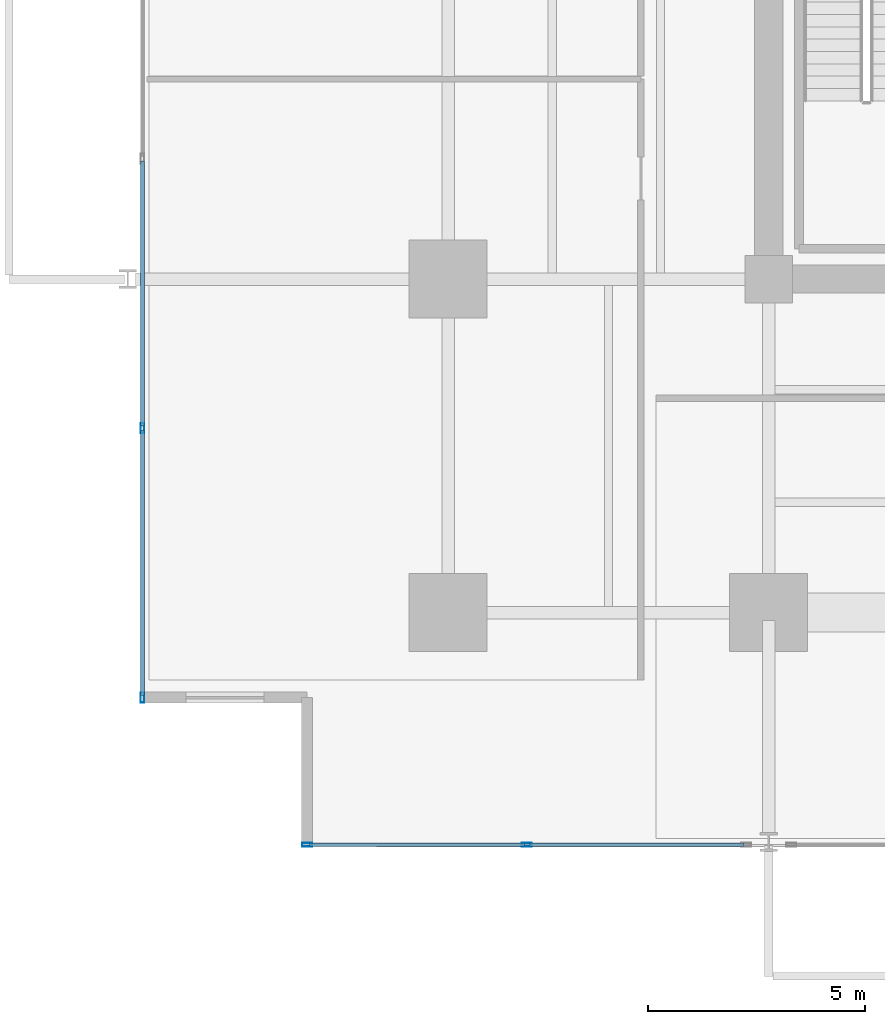
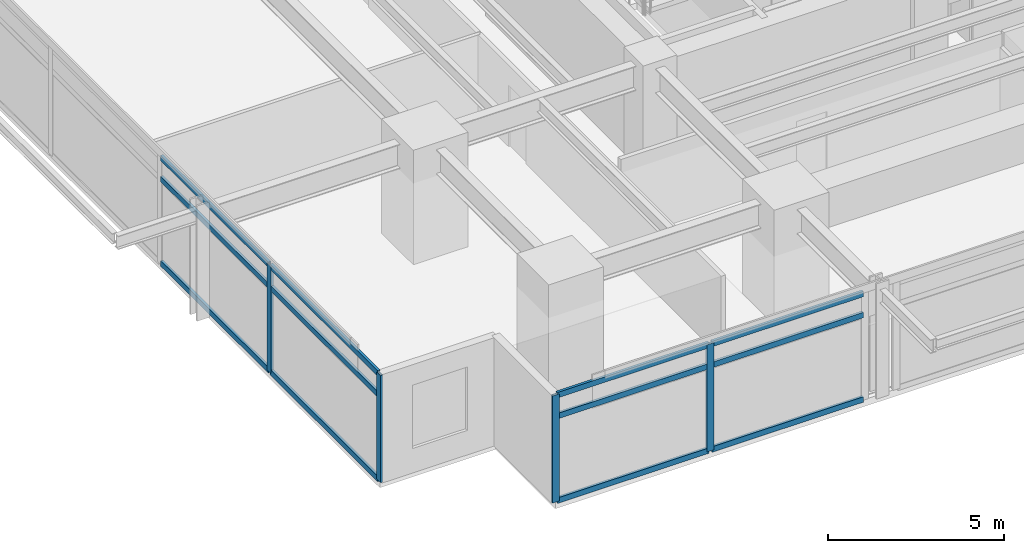
# One storey, part 2 of 21: 16 members, 2 elements without a shape of their own.
"""IFC4 building model written with IfcOpenShell, lengths in metres."""

from ifc_helpers import new_model, si_unit, direction, frame, origin, origin_2d, place, context, subcontext, project, spatial, hollow_rectangle, extrude, material, material_profile, profile_set, type_object, element, aggregate, save


model = new_model("IFC4")

# Units and contexts
model_context = context("Model", 3, precision=1e-05, world=origin(), true_north=direction((0.0, 1.0)))
body_context = subcontext(model_context, "Body", "Model", "MODEL_VIEW")
ifc_project = project(units=[si_unit("LENGTHUNIT", "METRE"), si_unit("AREAUNIT", "SQUARE_METRE"), si_unit("VOLUMEUNIT", "CUBIC_METRE"), si_unit("PLANEANGLEUNIT", "RADIAN"), si_unit("MASSUNIT", "GRAM", prefix="KILO")], contexts=[model_context])

# Site, building, storey
site_placement = place(None, origin())
site = spatial("IfcSite", under=ifc_project, at=site_placement, CompositionType="ELEMENT")
building_placement = place(site_placement, origin())
building = spatial("IfcBuilding", under=site, at=building_placement, Name="Kovane Verandah Tower", CompositionType="ELEMENT")
storey_placement = place(building_placement, frame((0.0, 0.0, 47.60009765625)))
storey = spatial("IfcBuildingStorey", under=building, at=storey_placement, Name="L10", CompositionType="ELEMENT", Elevation=47.60009765625)

# Curtain wall, members
ifc_material_1 = material(Name="Champagne Anodised Aluminium Frame with Low-E Clear Laminated Glass", Category="aluminium")
curtain_wall_type = type_object("IfcCurtainWallType", Name="CW-SYS-02-LOW", PredefinedType="NOTDEFINED", material=ifc_material_1)
curtain_wall_1_placement = place(storey_placement, origin())
curtain_wall_1 = element("IfcCurtainWall", 1, at=curtain_wall_1_placement, inside=storey, type_object=curtain_wall_type, Name="L10 S Unitised Curtain Wall-1", PredefinedType="NOTDEFINED")
ifc_material_2 = material(Name="Champagne Anodised Aluminium 6063-T6", Category="aluminium")
ifc_material_profile_1 = material_profile(ifc_material_2, hollow_rectangle(XDim=0.0849609375, YDim=0.22998046875, WallThickness=0.00390625, at=origin_2d()), Name="AL85x230x4")
ifc_profile_set_1 = profile_set([ifc_material_profile_1], Name="Champagne Anodised Aluminium 6063-T6")
member_type_1 = type_object("IfcMemberType", Name="CW-MUL-85x230", PredefinedType="MULLION", material=ifc_profile_set_1)
member_1_placement = place(storey_placement, frame((18.341064453125, 5.438720703125, 0.02001953125), z_axis=(0.0, 0.0, 1.0), x_axis=(0.0, -1.0, 0.0)))
member_1 = element("IfcMember", 2, at=member_1_placement, type_object=member_type_1, Name="L10 S Unitised Curtain Wall-1 Mullion 1", PredefinedType="MULLION", context=body_context, shape_type="SweptSolid", body=[
    extrude(hollow_rectangle(XDim=0.0849609375, YDim=0.22998046875, WallThickness=0.00390625, at=origin_2d()), origin(), (0.0, 0.0, 1.0), 3.719970703125),
])
member_2_placement = place(storey_placement, frame((23.410400390625, 5.438720703125, 0.02001953125), z_axis=(0.0, 0.0, 1.0), x_axis=(0.0, -1.0, 0.0)))
member_2 = element("IfcMember", 3, at=member_2_placement, type_object=member_type_1, Name="L10 S Unitised Curtain Wall-1 Mullion 2", PredefinedType="MULLION", context=body_context, shape_type="SweptSolid", body=[
    extrude(hollow_rectangle(XDim=0.0849609375, YDim=0.22998046875, WallThickness=0.00390625, at=origin_2d()), origin(), (0.0, 0.0, 1.0), 3.719970703125),
])

curtain_wall_2_placement = place(storey_placement, origin())
curtain_wall_2 = element("IfcCurtainWall", 4, at=curtain_wall_2_placement, inside=storey, type_object=curtain_wall_type, Name="L10 W Unitised Curtain Wall", PredefinedType="NOTDEFINED")
member_3_placement = place(storey_placement, frame((14.541015625, 15.05908203125, 0.02001953125), z_axis=(0.0, 0.0, 1.0), x_axis=(-1.0, 0.0, 0.0)))
member_3 = element("IfcMember", 5, at=member_3_placement, type_object=member_type_1, Name="L10 W Unitised Curtain Wall Mullion 6", PredefinedType="MULLION", context=body_context, shape_type="SweptSolid", body=[
    extrude(hollow_rectangle(XDim=0.0849609375, YDim=0.22998046875, WallThickness=0.00390625, at=origin_2d()), origin(), (0.0, 0.0, 1.0), 3.719970703125),
])
member_4_placement = place(storey_placement, frame((14.541015625, 8.838623046875, 0.02001953125), z_axis=(0.0, 0.0, 1.0), x_axis=(-1.0, 0.0, 0.0)))
member_4 = element("IfcMember", 6, at=member_4_placement, type_object=member_type_1, Name="L10 W Unitised Curtain Wall Mullion 7", PredefinedType="MULLION", context=body_context, shape_type="SweptSolid", body=[
    extrude(hollow_rectangle(XDim=0.0849609375, YDim=0.22998046875, WallThickness=0.00390625, at=origin_2d()), origin(), (0.0, 0.0, 1.0), 3.719970703125),
])

# Member
ifc_material_profile_2 = material_profile(ifc_material_2, hollow_rectangle(XDim=0.0849609375, YDim=0.18994140625, WallThickness=0.00390625, at=origin_2d()), Name="AL85x190x4")
ifc_profile_set_2 = profile_set([ifc_material_profile_2], Name="Champagne Anodised Aluminium 6063-T6")
member_type_2 = type_object("IfcMemberType", Name="CW-TRN-85x190", PredefinedType="USERDEFINED", material=ifc_profile_set_2)
member_5_placement = place(storey_placement, frame((18.39111328125, 5.438720703125, 0.0498046875), z_axis=(1.0, 0.0, 0.0), x_axis=(0.0, 1.0, 0.0)))
member_5 = element("IfcMember", 7, at=member_5_placement, type_object=member_type_2, Name="L10 S Unitised Curtain Wall-1 Transom TB Bay 1", ObjectType="TRANSOM", PredefinedType="USERDEFINED", context=body_context, shape_type="SweptSolid", body=[
    extrude(hollow_rectangle(XDim=0.0849609375, YDim=0.18994140625, WallThickness=0.00390625, at=origin_2d()), origin(), (0.0, 0.0, 1.0), 4.969482421875),
])

member_6_placement = place(storey_placement, frame((18.39111328125, 5.438720703125, 2.97998046875), z_axis=(1.0, 0.0, 0.0), x_axis=(0.0, 1.0, 0.0)))
member_6 = element("IfcMember", 8, at=member_6_placement, type_object=member_type_2, Name="L10 S Unitised Curtain Wall-1 Transom TM Bay 1", ObjectType="TRANSOM", PredefinedType="USERDEFINED", context=body_context, shape_type="SweptSolid", body=[
    extrude(hollow_rectangle(XDim=0.0849609375, YDim=0.18994140625, WallThickness=0.00390625, at=origin_2d()), origin(), (0.0, 0.0, 1.0), 4.969482421875),
])

member_7_placement = place(storey_placement, frame((18.39111328125, 5.438720703125, 3.7099609375), z_axis=(1.0, 0.0, 0.0), x_axis=(0.0, 1.0, 0.0)))
member_7 = element("IfcMember", 9, at=member_7_placement, type_object=member_type_2, Name="L10 S Unitised Curtain Wall-1 Transom TT Bay 1", ObjectType="TRANSOM", PredefinedType="USERDEFINED", context=body_context, shape_type="SweptSolid", body=[
    extrude(hollow_rectangle(XDim=0.0849609375, YDim=0.18994140625, WallThickness=0.00390625, at=origin_2d()), origin(), (0.0, 0.0, 1.0), 4.969482421875),
])

member_8_placement = place(storey_placement, frame((23.46044921875, 5.438720703125, 0.0498046875), z_axis=(1.0, 0.0, 0.0), x_axis=(0.0, 1.0, 0.0)))
member_8 = element("IfcMember", 10, at=member_8_placement, type_object=member_type_2, Name="L10 S Unitised Curtain Wall-1 Transom TB Bay 2", ObjectType="TRANSOM", PredefinedType="USERDEFINED", context=body_context, shape_type="SweptSolid", body=[
    extrude(hollow_rectangle(XDim=0.0849609375, YDim=0.18994140625, WallThickness=0.00390625, at=origin_2d()), origin(), (0.0, 0.0, 1.0), 4.969482421875),
])

member_9_placement = place(storey_placement, frame((23.46044921875, 5.438720703125, 2.97998046875), z_axis=(1.0, 0.0, 0.0), x_axis=(0.0, 1.0, 0.0)))
member_9 = element("IfcMember", 11, at=member_9_placement, type_object=member_type_2, Name="L10 S Unitised Curtain Wall-1 Transom TM Bay 2", ObjectType="TRANSOM", PredefinedType="USERDEFINED", context=body_context, shape_type="SweptSolid", body=[
    extrude(hollow_rectangle(XDim=0.0849609375, YDim=0.18994140625, WallThickness=0.00390625, at=origin_2d()), origin(), (0.0, 0.0, 1.0), 4.969482421875),
])

member_10_placement = place(storey_placement, frame((23.46044921875, 5.438720703125, 3.7099609375), z_axis=(1.0, 0.0, 0.0), x_axis=(0.0, 1.0, 0.0)))
member_10 = element("IfcMember", 12, at=member_10_placement, type_object=member_type_2, Name="L10 S Unitised Curtain Wall-1 Transom TT Bay 2", ObjectType="TRANSOM", PredefinedType="USERDEFINED", context=body_context, shape_type="SweptSolid", body=[
    extrude(hollow_rectangle(XDim=0.0849609375, YDim=0.18994140625, WallThickness=0.00390625, at=origin_2d()), origin(), (0.0, 0.0, 1.0), 4.969482421875),
])

aggregate(curtain_wall_1, [member_1, member_2, member_5, member_6, member_7, member_8, member_9, member_10])

member_11_placement = place(storey_placement, frame((14.541015625, 21.2294921875, 0.0498046875), z_axis=(0.0, -1.0, 0.0), x_axis=(1.0, 0.0, 0.0)))
member_11 = element("IfcMember", 13, at=member_11_placement, type_object=member_type_2, Name="L10 W Unitised Curtain Wall Transom TB Bay 5", ObjectType="TRANSOM", PredefinedType="USERDEFINED", context=body_context, shape_type="SweptSolid", body=[
    extrude(hollow_rectangle(XDim=0.0849609375, YDim=0.18994140625, WallThickness=0.00390625, at=origin_2d()), origin(), (0.0, 0.0, 1.0), 6.120361328125),
])

member_12_placement = place(storey_placement, frame((14.541015625, 21.2294921875, 2.97998046875), z_axis=(0.0, -1.0, 0.0), x_axis=(1.0, 0.0, 0.0)))
member_12 = element("IfcMember", 14, at=member_12_placement, type_object=member_type_2, Name="L10 W Unitised Curtain Wall Transom TM Bay 5", ObjectType="TRANSOM", PredefinedType="USERDEFINED", context=body_context, shape_type="SweptSolid", body=[
    extrude(hollow_rectangle(XDim=0.0849609375, YDim=0.18994140625, WallThickness=0.00390625, at=origin_2d()), origin(), (0.0, 0.0, 1.0), 6.120361328125),
])

member_13_placement = place(storey_placement, frame((14.541015625, 21.2294921875, 3.7099609375), z_axis=(0.0, -1.0, 0.0), x_axis=(1.0, 0.0, 0.0)))
member_13 = element("IfcMember", 15, at=member_13_placement, type_object=member_type_2, Name="L10 W Unitised Curtain Wall Transom TT Bay 5", ObjectType="TRANSOM", PredefinedType="USERDEFINED", context=body_context, shape_type="SweptSolid", body=[
    extrude(hollow_rectangle(XDim=0.0849609375, YDim=0.18994140625, WallThickness=0.00390625, at=origin_2d()), origin(), (0.0, 0.0, 1.0), 6.120361328125),
])

member_14_placement = place(storey_placement, frame((14.541015625, 15.009033203125, 0.0498046875), z_axis=(0.0, -1.0, 0.0), x_axis=(1.0, 0.0, 0.0)))
member_14 = element("IfcMember", 16, at=member_14_placement, type_object=member_type_2, Name="L10 W Unitised Curtain Wall Transom TB Bay 6", ObjectType="TRANSOM", PredefinedType="USERDEFINED", context=body_context, shape_type="SweptSolid", body=[
    extrude(hollow_rectangle(XDim=0.0849609375, YDim=0.18994140625, WallThickness=0.00390625, at=origin_2d()), origin(), (0.0, 0.0, 1.0), 6.120361328125),
])

member_15_placement = place(storey_placement, frame((14.541015625, 15.009033203125, 2.97998046875), z_axis=(0.0, -1.0, 0.0), x_axis=(1.0, 0.0, 0.0)))
member_15 = element("IfcMember", 17, at=member_15_placement, type_object=member_type_2, Name="L10 W Unitised Curtain Wall Transom TM Bay 6", ObjectType="TRANSOM", PredefinedType="USERDEFINED", context=body_context, shape_type="SweptSolid", body=[
    extrude(hollow_rectangle(XDim=0.0849609375, YDim=0.18994140625, WallThickness=0.00390625, at=origin_2d()), origin(), (0.0, 0.0, 1.0), 6.120361328125),
])

member_16_placement = place(storey_placement, frame((14.541015625, 15.009033203125, 3.7099609375), z_axis=(0.0, -1.0, 0.0), x_axis=(1.0, 0.0, 0.0)))
member_16 = element("IfcMember", 18, at=member_16_placement, type_object=member_type_2, Name="L10 W Unitised Curtain Wall Transom TT Bay 6", ObjectType="TRANSOM", PredefinedType="USERDEFINED", context=body_context, shape_type="SweptSolid", body=[
    extrude(hollow_rectangle(XDim=0.0849609375, YDim=0.18994140625, WallThickness=0.00390625, at=origin_2d()), origin(), (0.0, 0.0, 1.0), 6.120361328125),
])

aggregate(curtain_wall_2, [member_3, member_4, member_11, member_12, member_13, member_14, member_15, member_16])

save(model, "model.ifc")
